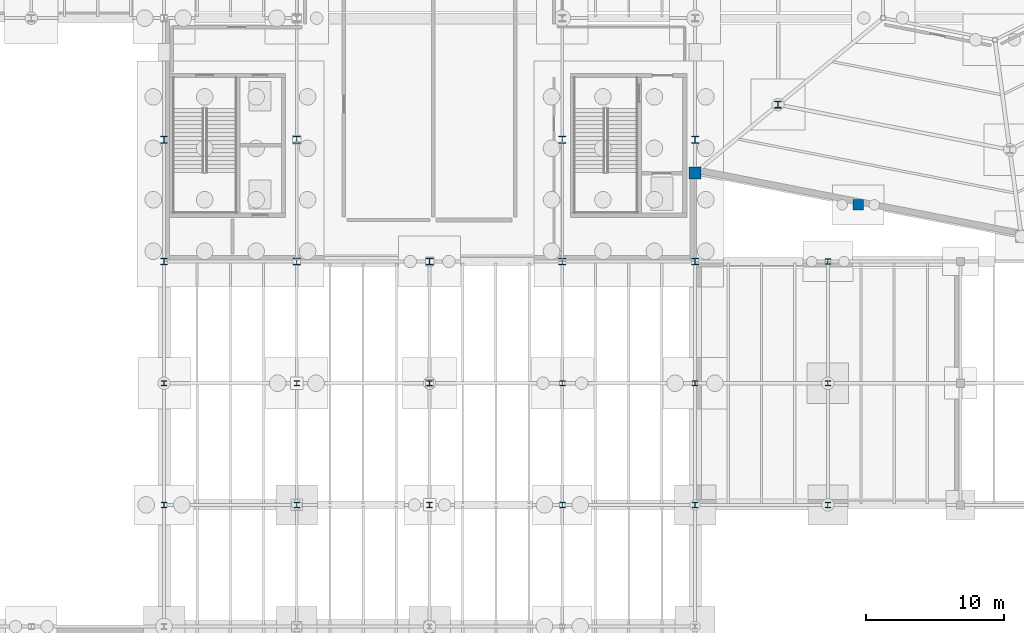
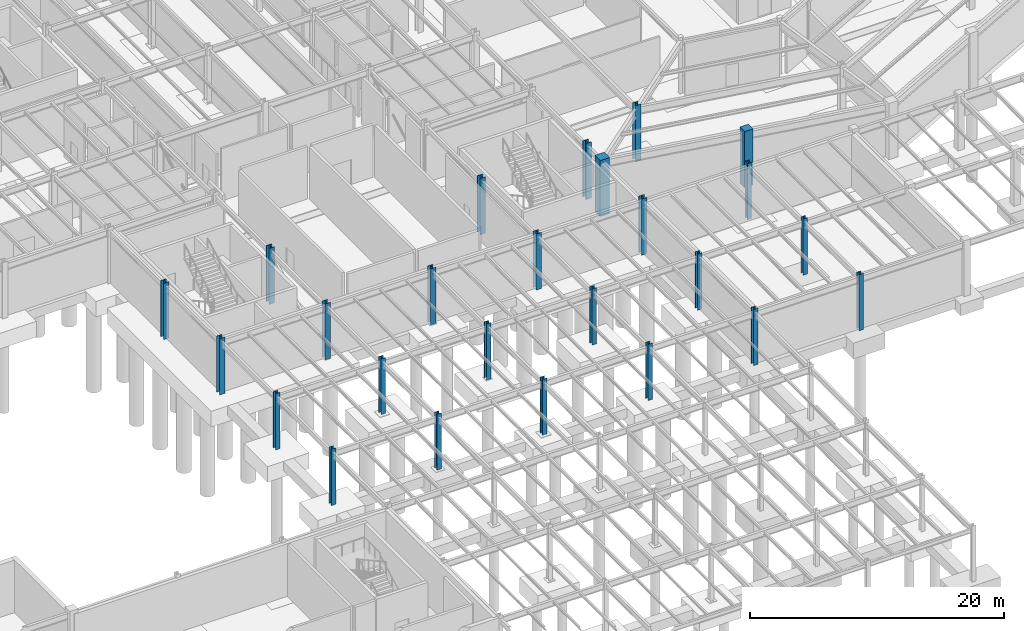
# One storey, part 10 of 48: 25 columns.
"""IFC4 building model written with IfcOpenShell, lengths in metres."""

from ifc_helpers import new_model, si_unit, direction, frame, origin, origin_2d, place, context, subcontext, project, spatial, rectangle, i_section, extrude, material, material_profile, profile_set, type_object, element, save


model = new_model("IFC4")

# Units and contexts
model_context = context("Model", 3, precision=1e-05, world=origin(), true_north=direction((0.0, 1.0)))
body_context = subcontext(model_context, "Body", "Model", "MODEL_VIEW")
ifc_project = project(units=[si_unit("LENGTHUNIT", "METRE"), si_unit("AREAUNIT", "SQUARE_METRE"), si_unit("VOLUMEUNIT", "CUBIC_METRE"), si_unit("PLANEANGLEUNIT", "RADIAN"), si_unit("MASSUNIT", "GRAM", prefix="KILO")], contexts=[model_context])

# Site, building, storey
site_placement = place(None, origin())
site = spatial("IfcSite", under=ifc_project, at=site_placement, CompositionType="ELEMENT")
building_placement = place(site_placement, origin())
building = spatial("IfcBuilding", under=site, at=building_placement, Name="Sarnbrook Museum", CompositionType="ELEMENT")
storey_placement = place(building_placement, frame((0.0, 0.0, -5.39990234375)))
storey = spatial("IfcBuildingStorey", under=building, at=storey_placement, Name="B1", CompositionType="ELEMENT", Elevation=-5.39990234375)

# Columns
ifc_material_1 = material(Name="Concrete N50 (AS 3600, f'c = 50 MPa)", Category="concrete")
ifc_material_profile_1 = material_profile(ifc_material_1, rectangle(XDim=0.75, YDim=0.75, at=origin_2d()), Name="RC 750x750")
ifc_profile_set_1 = profile_set([ifc_material_profile_1], Name="Concrete N50 (AS 3600, f'c = 50 MPa)")
column_type_1 = type_object("IfcColumnType", Name="COL-RC750", PredefinedType="COLUMN", material=ifc_profile_set_1)
column_1_placement = place(storey_placement, frame((131.0, 60.89990234375, 0.0), z_axis=(0.0, 0.0, 1.0), x_axis=(1.0, 0.0, 0.0)))
element("IfcColumn", 1, at=column_1_placement, inside=storey, type_object=column_type_1, Name="Colonnade Pier M1 B1", PredefinedType="COLUMN", context=body_context, shape_type="SweptSolid", body=[
    extrude(rectangle(XDim=0.75, YDim=0.75, at=origin_2d()), origin(), (0.0, 0.0, 1.0), 5.39990234375),
])
ifc_material_profile_2 = material_profile(ifc_material_1, rectangle(XDim=0.85009765625, YDim=0.85009765625, at=origin_2d()), Name="RC 850x850")
ifc_profile_set_2 = profile_set([ifc_material_profile_2], Name="Concrete N50 (AS 3600, f'c = 50 MPa)")
column_type_2 = type_object("IfcColumnType", Name="COL-RC850", PredefinedType="COLUMN", material=ifc_profile_set_2)
column_2_placement = place(storey_placement, frame((119.199951171875, 63.199951171875, 0.0), z_axis=(0.0, 0.0, 1.0), x_axis=(1.0, 0.0, 0.0)))
element("IfcColumn", 2, at=column_2_placement, inside=storey, type_object=column_type_2, Name="Crystal Pier Column V1 B1", PredefinedType="COLUMN", context=body_context, shape_type="SweptSolid", body=[
    extrude(rectangle(XDim=0.85009765625, YDim=0.85009765625, at=origin_2d()), origin(), (0.0, 0.0, 1.0), 5.39990234375),
])
ifc_material_2 = material(Name="Structural Steel Grade 350L0 (AS/NZS 3678, fy = 340 MPa for 20 < t <= 40 mm)", Category="steel")
ifc_material_profile_3 = material_profile(ifc_material_2, i_section(OverallWidth=0.39990234375, OverallDepth=0.382080078125, WebThickness=0.02490234375, FlangeThickness=0.035888671875, at=origin_2d()), Name="400WC270")
ifc_profile_set_3 = profile_set([ifc_material_profile_3], Name="Structural Steel Grade 350L0 (AS/NZS 3678, fy = 340 MPa for 20 < t <= 40 mm)")
column_type_3 = type_object("IfcColumnType", Name="COL-WC400", PredefinedType="COLUMN", material=ifc_profile_set_3)
for number, where, z_axis, x_axis, name in (
    (3, (90.39990234375, 39.199951171875, 0.0), (0.0, 0.0, 1.0), (1.0, 0.0, 0.0), "Column 10-E B1"),
    (4, (90.39990234375, 48.0, 0.0), (0.0, 0.0, 1.0), (1.0, 0.0, 0.0), "Column 10-F B1"),
    (5, (100.0, 39.199951171875, 0.0), (0.0, 0.0, 1.0), (1.0, 0.0, 0.0), "Column 11-E B1"),
    (6, (100.0, 48.0, 0.0), (0.0, 0.0, 1.0), (1.0, 0.0, 0.0), "Column 11-F B1"),
    (7, (109.60009765625, 39.199951171875, 0.0), (0.0, 0.0, 1.0), (1.0, 0.0, 0.0), "Column 12-E B1"),
    (8, (109.60009765625, 48.0, 0.0), (0.0, 0.0, 1.0), (1.0, 0.0, 0.0), "Column 12-F B1"),
    (9, (119.199951171875, 39.199951171875, 0.0), (0.0, 0.0, 1.0), (1.0, 0.0, 0.0), "Column 13-E B1"),
    (10, (119.199951171875, 48.0, 0.0), (0.0, 0.0, 1.0), (1.0, 0.0, 0.0), "Column 13-F B1"),
    (11, (128.800048828125, 39.199951171875, 0.0), (0.0, 0.0, 1.0), (1.0, 0.0, 0.0), "Column 14-E B1"),
    (12, (128.800048828125, 48.0, 0.0), (0.0, 0.0, 1.0), (1.0, 0.0, 0.0), "Column 14-F B1"),
    (13, (128.800048828125, 56.800048828125, 0.0), (0.0, 0.0, 1.0), (1.0, 0.0, 0.0), "Column 14-G B1"),
    (14, (80.800048828125, 39.199951171875, 0.0), (0.0, 0.0, 1.0), (1.0, 0.0, 0.0), "Column 9-E B1"),
    (15, (80.800048828125, 48.0, 0.0), (0.0, 0.0, 1.0), (1.0, 0.0, 0.0), "Column 9-F B1"),
):
    element("IfcColumn", number, at=place(storey_placement, frame(where, z_axis=z_axis, x_axis=x_axis)), inside=storey, type_object=column_type_3, Name=name, PredefinedType="COLUMN", context=body_context, shape_type="SweptSolid", body=[
        extrude(i_section(OverallWidth=0.39990234375, OverallDepth=0.382080078125, WebThickness=0.02490234375, FlangeThickness=0.035888671875, at=origin_2d()), origin(), (0.0, 0.0, 1.0), 5.39990234375),
    ])
ifc_material_profile_4 = material_profile(ifc_material_2, i_section(OverallWidth=0.5, OverallDepth=0.489990234375, WebThickness=0.028076171875, FlangeThickness=0.0400390625, at=origin_2d()), Name="500WC340")
ifc_profile_set_4 = profile_set([ifc_material_profile_4], Name="Structural Steel Grade 350L0 (AS/NZS 3678, fy = 340 MPa for 20 < t <= 40 mm)")
column_type_4 = type_object("IfcColumnType", Name="COL-WC500", PredefinedType="COLUMN", material=ifc_profile_set_4)
for number, where, z_axis, x_axis, name in (
    (16, (90.39990234375, 56.800048828125, 0.0), (0.0, 0.0, 1.0), (1.0, 0.0, 0.0), "Column 10-G B1"),
    (17, (90.39990234375, 65.60009765625, 0.0), (0.0, 0.0, 1.0), (1.0, 0.0, 0.0), "Column 10-H B1"),
    (18, (100.0, 56.800048828125, 0.0), (0.0, 0.0, 1.0), (1.0, 0.0, 0.0), "Column 11-G B1"),
    (19, (109.60009765625, 56.800048828125, 0.0), (0.0, 0.0, 1.0), (1.0, 0.0, 0.0), "Column 12-G B1"),
    (20, (109.60009765625, 65.60009765625, 0.0), (0.0, 0.0, 1.0), (1.0, 0.0, 0.0), "Column 12-H B1"),
    (21, (119.199951171875, 56.800048828125, 0.0), (0.0, 0.0, 1.0), (1.0, 0.0, 0.0), "Column 13-G B1"),
    (22, (119.199951171875, 65.60009765625, 0.0), (0.0, 0.0, 1.0), (1.0, 0.0, 0.0), "Column 13-H B1"),
    (23, (80.800048828125, 56.800048828125, 0.0), (0.0, 0.0, 1.0), (1.0, 0.0, 0.0), "Column 9-G B1"),
    (24, (80.800048828125, 65.60009765625, 0.0), (0.0, 0.0, 1.0), (1.0, 0.0, 0.0), "Column 9-H B1"),
    (25, (125.199951171875, 68.143310546875, 0.0), (0.0, 0.0, 1.0), (1.0, 0.0, 0.0), "Crystal Hall Ring Column R1-1 B1"),
):
    element("IfcColumn", number, at=place(storey_placement, frame(where, z_axis=z_axis, x_axis=x_axis)), inside=storey, type_object=column_type_4, Name=name, PredefinedType="COLUMN", context=body_context, shape_type="SweptSolid", body=[
        extrude(i_section(OverallWidth=0.5, OverallDepth=0.489990234375, WebThickness=0.028076171875, FlangeThickness=0.0400390625, at=origin_2d()), origin(), (0.0, 0.0, 1.0), 5.39990234375),
    ])

save(model, "model.ifc")
